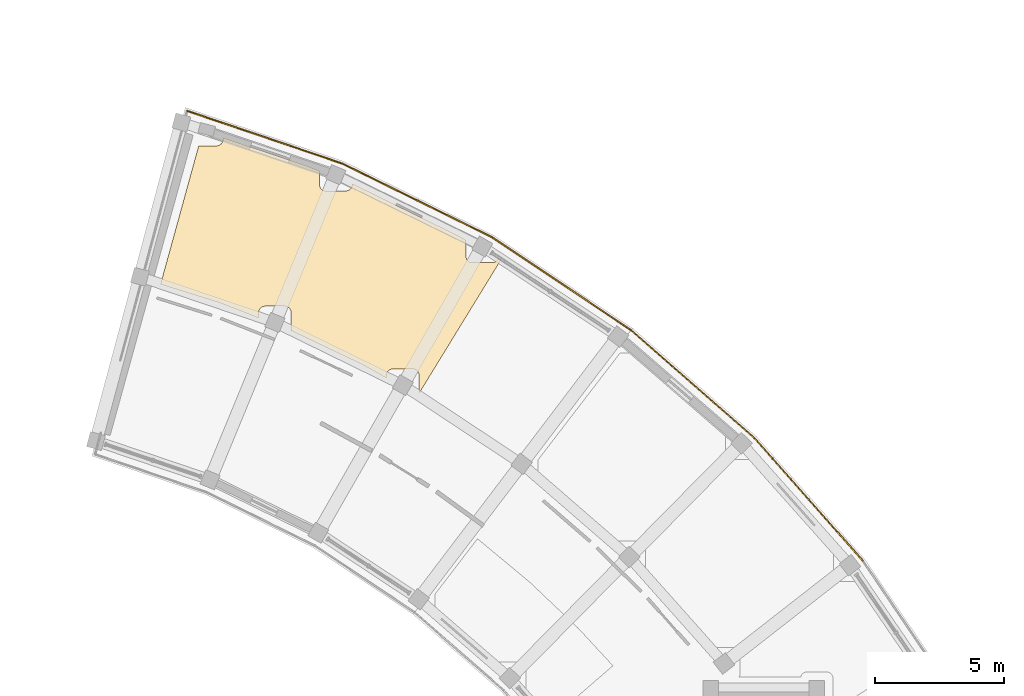
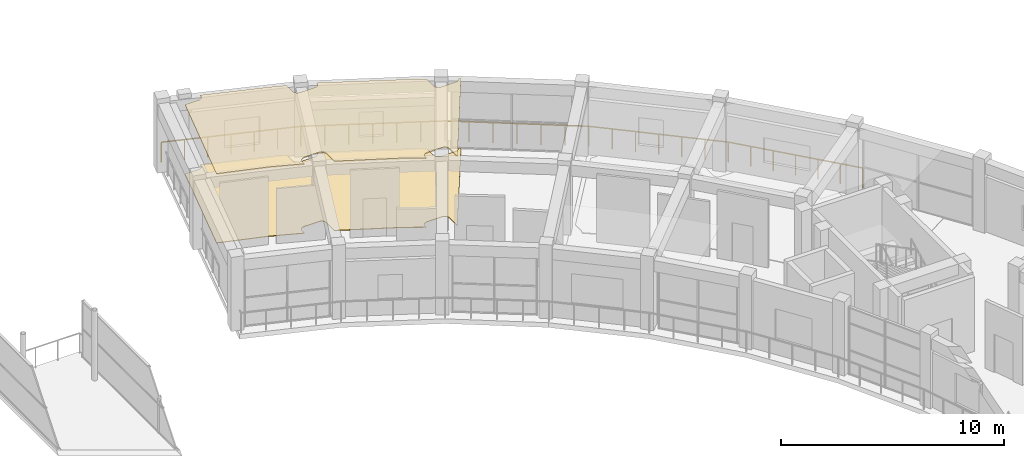
# One storey, part 53 of 53: 5 railings, 2 coverings.
"""IFC4 building model written with IfcOpenShell, lengths in metres."""

from ifc_helpers import new_model, si_unit, direction, frame, origin, origin_2d, place, context, subcontext, project, spatial, polyline, rectangle, outline, extrude, material, layer, layer_set, type_object, element, save


model = new_model("IFC4")

# Units and contexts
model_context = context("Model", 3, precision=1e-05, world=origin(), true_north=direction((0.0, 1.0)))
body_context = subcontext(model_context, "Body", "Model", "MODEL_VIEW")
ifc_project = project(units=[si_unit("LENGTHUNIT", "METRE"), si_unit("AREAUNIT", "SQUARE_METRE"), si_unit("VOLUMEUNIT", "CUBIC_METRE"), si_unit("PLANEANGLEUNIT", "RADIAN"), si_unit("MASSUNIT", "GRAM", prefix="KILO")], contexts=[model_context])

# Site, building, storey
site_placement = place(None, origin())
site = spatial("IfcSite", under=ifc_project, at=site_placement, CompositionType="ELEMENT")
building_placement = place(site_placement, origin())
building = spatial("IfcBuilding", under=site, at=building_placement, Name="Saryqyr Civic Hall", CompositionType="ELEMENT")
storey_placement = place(building_placement, frame((0.0, 0.0, 21.300048828125)))
storey = spatial("IfcBuildingStorey", under=building, at=storey_placement, Name="L05", CompositionType="ELEMENT", Elevation=21.300048828125)

# Coverings
ifc_material_1 = material(Name="Mineral-fibre acoustic ceiling tile", Category="acoustic_tile")
ifc_layer_1 = layer(ifc_material_1, 0.06005859375, Name="Mineral-fibre acoustic ceiling tile")
ifc_layer_set_1 = layer_set([ifc_layer_1], Name="Mineral-fibre acoustic ceiling tile")
covering_type_1 = type_object("IfcCoveringType", Name="INT-COV-CEIL-60", PredefinedType="CEILING", material=ifc_layer_set_1)
covering_1_placement = place(storey_placement, frame((0.0, 0.0, 3.760009765625)))
element("IfcCovering", 1, at=covering_1_placement, inside=storey, type_object=covering_type_1, Name="Acoustic ceiling Executive Suite Restroom & Accessible MGN WC L05-N", PredefinedType="CEILING", context=body_context, shape_type="SweptSolid", body=[
    extrude(outline(polyline([(78.90576171875, 121.541015625), (78.902099609375, 121.5654296875), (78.896240234375, 121.589111328125), (78.887939453125, 121.6123046875), (78.87744140625, 121.634521484375), (78.864990234375, 121.655517578125), (78.850341796875, 121.67529296875), (78.833740234375, 121.693359375), (78.815673828125, 121.7099609375), (78.7958984375, 121.724609375), (78.77490234375, 121.737060546875), (78.752685546875, 121.74755859375), (78.7294921875, 121.755859375), (78.705810546875, 121.76171875), (78.681396484375, 121.765380859375), (78.656982421875, 121.7666015625), (77.89697265625, 121.7666015625), (77.87255859375, 121.765380859375), (77.84814453125, 121.76171875), (77.824462890625, 121.755859375), (77.80126953125, 121.74755859375), (77.779296875, 121.737060546875), (77.758056640625, 121.724609375), (77.73828125, 121.7099609375), (77.72021484375, 121.693359375), (77.70361328125, 121.67529296875), (77.689208984375, 121.655517578125), (77.676513671875, 121.634521484375), (77.666015625, 121.6123046875), (77.65771484375, 121.589111328125), (77.65185546875, 121.5654296875), (77.648193359375, 121.541015625), (77.64697265625, 121.5166015625), (77.64697265625, 121.406494140625), (76.74755859375, 121.915283203125), (76.71337890625, 121.93310546875), (74.034912109375, 123.208984375), (73.99951171875, 123.224365234375), (73.943359375, 123.246337890625), (73.943359375, 123.94921875), (73.942138671875, 123.9736328125), (73.9384765625, 123.997802734375), (73.9326171875, 124.021728515625), (73.92431640625, 124.044921875), (73.913818359375, 124.06689453125), (73.901123046875, 124.087890625), (73.88671875, 124.107666015625), (73.8701171875, 124.1259765625), (73.851806640625, 124.142333984375), (73.832275390625, 124.156982421875), (73.81103515625, 124.169677734375), (73.7890625, 124.18017578125), (73.765869140625, 124.188232421875), (73.7421875, 124.1943359375), (73.7177734375, 124.197998046875), (73.693359375, 124.19921875), (72.933349609375, 124.19921875), (72.90869140625, 124.197998046875), (72.884521484375, 124.1943359375), (72.860595703125, 124.188232421875), (72.837646484375, 124.18017578125), (72.8154296875, 124.169677734375), (72.79443359375, 124.156982421875), (72.774658203125, 124.142333984375), (72.756591796875, 124.1259765625), (72.739990234375, 124.107666015625), (72.725341796875, 124.087890625), (72.712890625, 124.06689453125), (72.702392578125, 124.044921875), (72.694091796875, 124.021728515625), (72.68798828125, 123.997802734375), (72.6845703125, 123.9736328125), (72.683349609375, 123.94921875), (72.683349609375, 123.7412109375), (71.23828125, 124.308837890625), (71.201904296875, 124.32177734375), (68.877685546875, 125.05078125), (70.35791015625, 130.42431640625), (71.050537109375, 130.42431640625), (71.0751953125, 130.425537109375), (71.099365234375, 130.42919921875), (71.123291015625, 130.435302734375), (71.146240234375, 130.443359375), (71.16845703125, 130.453857421875), (71.189453125, 130.466552734375), (71.209228515625, 130.481201171875), (71.227294921875, 130.49755859375), (71.243896484375, 130.515869140625), (71.258544921875, 130.535400390625), (71.27099609375, 130.556640625), (71.281494140625, 130.57861328125), (71.289794921875, 130.601806640625), (71.2958984375, 130.62548828125), (71.29931640625, 130.64990234375), (71.300537109375, 130.67431640625), (71.300537109375, 130.734130859375), (74.513671875, 129.6572265625), (75.04638671875, 129.447998046875), (75.04638671875, 128.921142578125), (75.047607421875, 128.896484375), (75.05126953125, 128.872314453125), (75.05712890625, 128.848388671875), (75.0654296875, 128.825439453125), (75.075927734375, 128.80322265625), (75.08837890625, 128.7822265625), (75.10302734375, 128.762451171875), (75.11962890625, 128.744384765625), (75.1376953125, 128.727783203125), (75.157470703125, 128.713134765625), (75.1787109375, 128.70068359375), (75.20068359375, 128.690185546875), (75.223876953125, 128.681884765625), (75.24755859375, 128.67578125), (75.27197265625, 128.67236328125), (75.29638671875, 128.671142578125), (76.056396484375, 128.671142578125), (76.080810546875, 128.67236328125), (76.105224609375, 128.67578125), (76.12890625, 128.681884765625), (76.152099609375, 128.690185546875), (76.17431640625, 128.70068359375), (76.1953125, 128.713134765625), (76.215087890625, 128.727783203125), (76.233154296875, 128.744384765625), (76.249755859375, 128.762451171875), (76.264404296875, 128.7822265625), (76.27685546875, 128.80322265625), (76.287353515625, 128.825439453125), (76.295654296875, 128.848388671875), (76.301513671875, 128.872314453125), (76.30517578125, 128.896484375), (76.306396484375, 128.921142578125), (76.306396484375, 128.953125), (76.390869140625, 128.919921875), (80.4189453125, 126.93359375), (80.72900390625, 126.758056640625), (80.72900390625, 126.13623046875), (80.730224609375, 126.11181640625), (80.73388671875, 126.08740234375), (80.739990234375, 126.063720703125), (80.748046875, 126.04052734375), (80.758544921875, 126.0185546875), (80.771240234375, 125.997314453125), (80.785888671875, 125.977783203125), (80.80224609375, 125.95947265625), (80.820556640625, 125.943115234375), (80.840087890625, 125.928466796875), (80.861328125, 125.915771484375), (80.88330078125, 125.9052734375), (80.906494140625, 125.897216796875), (80.930419921875, 125.89111328125), (80.95458984375, 125.887451171875), (80.97900390625, 125.88623046875), (81.739013671875, 125.88623046875), (81.763671875, 125.887451171875), (81.787841796875, 125.89111328125), (81.811767578125, 125.897216796875), (81.834716796875, 125.9052734375), (81.85693359375, 125.915771484375), (81.8779296875, 125.928466796875), (81.897705078125, 125.943115234375), (81.916015625, 125.95947265625), (81.932373046875, 125.977783203125), (81.947021484375, 125.997314453125), (81.959716796875, 126.0185546875), (81.97021484375, 126.04052734375), (81.974609375, 126.05322265625), (82.080322265625, 125.99365234375), (78.906982421875, 120.818359375), (78.906982421875, 121.5166015625), (78.90576171875, 121.541015625)])), origin(), (0.0, 0.0, 1.0), 0.06005859375),
])
ifc_material_2 = material(Name="Polished terrazzo tile", Category="stone")
ifc_layer_2 = layer(ifc_material_2, 0.030029296875, Name="Polished terrazzo tile")
ifc_layer_set_2 = layer_set([ifc_layer_2], Name="Polished terrazzo tile")
covering_type_2 = type_object("IfcCoveringType", Name="INT-COV-FLR-30", PredefinedType="FLOORING", material=ifc_layer_set_2)
covering_2_placement = place(storey_placement, origin())
element("IfcCovering", 2, at=covering_2_placement, inside=storey, type_object=covering_type_2, Name="Polished terrazzo flooring Executive Suite Restroom & Accessible MGN WC L05-N", PredefinedType="FLOORING", context=body_context, shape_type="SweptSolid", body=[
    extrude(outline(polyline([(78.90576171875, 121.541015625), (78.902099609375, 121.5654296875), (78.896240234375, 121.589111328125), (78.887939453125, 121.6123046875), (78.87744140625, 121.634521484375), (78.864990234375, 121.655517578125), (78.850341796875, 121.67529296875), (78.833740234375, 121.693359375), (78.815673828125, 121.7099609375), (78.7958984375, 121.724609375), (78.77490234375, 121.737060546875), (78.752685546875, 121.74755859375), (78.7294921875, 121.755859375), (78.705810546875, 121.76171875), (78.681396484375, 121.765380859375), (78.656982421875, 121.7666015625), (77.89697265625, 121.7666015625), (77.87255859375, 121.765380859375), (77.84814453125, 121.76171875), (77.824462890625, 121.755859375), (77.80126953125, 121.74755859375), (77.779296875, 121.737060546875), (77.758056640625, 121.724609375), (77.73828125, 121.7099609375), (77.72021484375, 121.693359375), (77.70361328125, 121.67529296875), (77.689208984375, 121.655517578125), (77.676513671875, 121.634521484375), (77.666015625, 121.6123046875), (77.65771484375, 121.589111328125), (77.65185546875, 121.5654296875), (77.648193359375, 121.541015625), (77.64697265625, 121.5166015625), (77.64697265625, 121.406494140625), (76.74755859375, 121.915283203125), (76.71337890625, 121.93310546875), (74.034912109375, 123.208984375), (73.99951171875, 123.224365234375), (73.943359375, 123.246337890625), (73.943359375, 123.94921875), (73.942138671875, 123.9736328125), (73.9384765625, 123.997802734375), (73.9326171875, 124.021728515625), (73.92431640625, 124.044921875), (73.913818359375, 124.06689453125), (73.901123046875, 124.087890625), (73.88671875, 124.107666015625), (73.8701171875, 124.1259765625), (73.851806640625, 124.142333984375), (73.832275390625, 124.156982421875), (73.81103515625, 124.169677734375), (73.7890625, 124.18017578125), (73.765869140625, 124.188232421875), (73.7421875, 124.1943359375), (73.7177734375, 124.197998046875), (73.693359375, 124.19921875), (72.933349609375, 124.19921875), (72.90869140625, 124.197998046875), (72.884521484375, 124.1943359375), (72.860595703125, 124.188232421875), (72.837646484375, 124.18017578125), (72.8154296875, 124.169677734375), (72.79443359375, 124.156982421875), (72.774658203125, 124.142333984375), (72.756591796875, 124.1259765625), (72.739990234375, 124.107666015625), (72.725341796875, 124.087890625), (72.712890625, 124.06689453125), (72.702392578125, 124.044921875), (72.694091796875, 124.021728515625), (72.68798828125, 123.997802734375), (72.6845703125, 123.9736328125), (72.683349609375, 123.94921875), (72.683349609375, 123.7412109375), (71.23828125, 124.308837890625), (71.201904296875, 124.32177734375), (68.877685546875, 125.05078125), (70.35791015625, 130.42431640625), (71.050537109375, 130.42431640625), (71.0751953125, 130.425537109375), (71.099365234375, 130.42919921875), (71.123291015625, 130.435302734375), (71.146240234375, 130.443359375), (71.16845703125, 130.453857421875), (71.189453125, 130.466552734375), (71.209228515625, 130.481201171875), (71.227294921875, 130.49755859375), (71.243896484375, 130.515869140625), (71.258544921875, 130.535400390625), (71.27099609375, 130.556640625), (71.281494140625, 130.57861328125), (71.289794921875, 130.601806640625), (71.2958984375, 130.62548828125), (71.29931640625, 130.64990234375), (71.300537109375, 130.67431640625), (71.300537109375, 130.734130859375), (74.513671875, 129.6572265625), (75.04638671875, 129.447998046875), (75.04638671875, 128.921142578125), (75.047607421875, 128.896484375), (75.05126953125, 128.872314453125), (75.05712890625, 128.848388671875), (75.0654296875, 128.825439453125), (75.075927734375, 128.80322265625), (75.08837890625, 128.7822265625), (75.10302734375, 128.762451171875), (75.11962890625, 128.744384765625), (75.1376953125, 128.727783203125), (75.157470703125, 128.713134765625), (75.1787109375, 128.70068359375), (75.20068359375, 128.690185546875), (75.223876953125, 128.681884765625), (75.24755859375, 128.67578125), (75.27197265625, 128.67236328125), (75.29638671875, 128.671142578125), (76.056396484375, 128.671142578125), (76.080810546875, 128.67236328125), (76.105224609375, 128.67578125), (76.12890625, 128.681884765625), (76.152099609375, 128.690185546875), (76.17431640625, 128.70068359375), (76.1953125, 128.713134765625), (76.215087890625, 128.727783203125), (76.233154296875, 128.744384765625), (76.249755859375, 128.762451171875), (76.264404296875, 128.7822265625), (76.27685546875, 128.80322265625), (76.287353515625, 128.825439453125), (76.295654296875, 128.848388671875), (76.301513671875, 128.872314453125), (76.30517578125, 128.896484375), (76.306396484375, 128.921142578125), (76.306396484375, 128.953125), (76.390869140625, 128.919921875), (80.4189453125, 126.93359375), (80.72900390625, 126.758056640625), (80.72900390625, 126.13623046875), (80.730224609375, 126.11181640625), (80.73388671875, 126.08740234375), (80.739990234375, 126.063720703125), (80.748046875, 126.04052734375), (80.758544921875, 126.0185546875), (80.771240234375, 125.997314453125), (80.785888671875, 125.977783203125), (80.80224609375, 125.95947265625), (80.820556640625, 125.943115234375), (80.840087890625, 125.928466796875), (80.861328125, 125.915771484375), (80.88330078125, 125.9052734375), (80.906494140625, 125.897216796875), (80.930419921875, 125.89111328125), (80.95458984375, 125.887451171875), (80.97900390625, 125.88623046875), (81.739013671875, 125.88623046875), (81.763671875, 125.887451171875), (81.787841796875, 125.89111328125), (81.811767578125, 125.897216796875), (81.834716796875, 125.9052734375), (81.85693359375, 125.915771484375), (81.8779296875, 125.928466796875), (81.897705078125, 125.943115234375), (81.916015625, 125.95947265625), (81.932373046875, 125.977783203125), (81.947021484375, 125.997314453125), (81.959716796875, 126.0185546875), (81.97021484375, 126.04052734375), (81.974609375, 126.05322265625), (82.080322265625, 125.99365234375), (78.906982421875, 120.818359375), (78.906982421875, 121.5166015625), (78.90576171875, 121.541015625)])), origin(), (0.0, 0.0, 1.0), 0.030029296875),
])

# Railings
ifc_material_3 = material(Name="Warm brushed brass and laminated glass", Category="glass")
ifc_layer_3 = layer(ifc_material_3, 0.06005859375, Name="Warm brushed brass and laminated glass")
ifc_layer_set_3 = layer_set([ifc_layer_3], Name="Warm brushed brass and laminated glass")
railing_type = type_object("IfcRailingType", Name="INT-RLG-BAL-1100", PredefinedType="BALUSTRADE", material=ifc_layer_set_3)
railing_1_placement = place(storey_placement, frame((69.906494140625, 131.781005859375, 0.0)))
element("IfcRailing", 3, at=railing_1_placement, inside=storey, type_object=railing_type, Name="Interior deck safety balustrade L05-022", PredefinedType="BALUSTRADE", context=body_context, shape_type="SweptSolid", body=[
    extrude(rectangle(XDim=0.048095703125, YDim=0.048095703125, at=origin_2d()), frame((0.0, 0.0, 1.09619140625), z_axis=(0.946914589927, -0.321485239761, 0.0), x_axis=(0.321485239761, 0.946914589927, 0.0)), (0.0, 0.0, 1.0), 6.37451171875),
    extrude(rectangle(XDim=0.0419921875, YDim=0.0419921875, at=origin_2d()), origin(), (0.0, 0.0, 1.0), 1.072021484375),
    extrude(rectangle(XDim=0.0419921875, YDim=0.0419921875, at=origin_2d()), frame((1.006103515625, -0.341552734375, 0.0)), (0.0, 0.0, 1.0), 1.072021484375),
    extrude(rectangle(XDim=0.0419921875, YDim=0.0419921875, at=origin_2d()), frame((2.011962890625, -0.68310546875, 0.0)), (0.0, 0.0, 1.0), 1.072021484375),
    extrude(rectangle(XDim=0.0419921875, YDim=0.0419921875, at=origin_2d()), frame((3.01806640625, -1.024658203125, 0.0)), (0.0, 0.0, 1.0), 1.072021484375),
    extrude(rectangle(XDim=0.0419921875, YDim=0.0419921875, at=origin_2d()), frame((4.024169921875, -1.3662109375, 0.0)), (0.0, 0.0, 1.0), 1.072021484375),
    extrude(rectangle(XDim=0.0419921875, YDim=0.0419921875, at=origin_2d()), frame((5.030029296875, -1.707763671875, 0.0)), (0.0, 0.0, 1.0), 1.072021484375),
    extrude(rectangle(XDim=0.0419921875, YDim=0.0419921875, at=origin_2d()), frame((6.0361328125, -2.04931640625, 0.0)), (0.0, 0.0, 1.0), 1.072021484375),
])
railing_2_placement = place(storey_placement, frame((75.942626953125, 129.731689453125, 0.0)))
element("IfcRailing", 4, at=railing_2_placement, inside=storey, type_object=railing_type, Name="Interior deck safety balustrade L05-023", PredefinedType="BALUSTRADE", context=body_context, shape_type="SweptSolid", body=[
    extrude(rectangle(XDim=0.048095703125, YDim=0.048095703125, at=origin_2d()), frame((0.0, 0.0, 1.09619140625), z_axis=(0.89689443152, -0.442244704557, 0.0), x_axis=(0.442244704557, 0.89689443152, 0.0)), (0.0, 0.0, 1.0), 6.47509765625),
    extrude(rectangle(XDim=0.0419921875, YDim=0.0419921875, at=origin_2d()), origin(), (0.0, 0.0, 1.0), 1.072021484375),
    extrude(rectangle(XDim=0.0419921875, YDim=0.0419921875, at=origin_2d()), frame((0.9677734375, -0.477294921875, 0.0)), (0.0, 0.0, 1.0), 1.072021484375),
    extrude(rectangle(XDim=0.0419921875, YDim=0.0419921875, at=origin_2d()), frame((1.935791015625, -0.95458984375, 0.0)), (0.0, 0.0, 1.0), 1.072021484375),
    extrude(rectangle(XDim=0.0419921875, YDim=0.0419921875, at=origin_2d()), frame((2.90380859375, -1.431640625, 0.0)), (0.0, 0.0, 1.0), 1.072021484375),
    extrude(rectangle(XDim=0.0419921875, YDim=0.0419921875, at=origin_2d()), frame((3.87158203125, -1.908935546875, 0.0)), (0.0, 0.0, 1.0), 1.072021484375),
    extrude(rectangle(XDim=0.0419921875, YDim=0.0419921875, at=origin_2d()), frame((4.83935546875, -2.38623046875, 0.0)), (0.0, 0.0, 1.0), 1.072021484375),
    extrude(rectangle(XDim=0.0419921875, YDim=0.0419921875, at=origin_2d()), frame((5.807373046875, -2.863525390625, 0.0)), (0.0, 0.0, 1.0), 1.072021484375),
])
railing_3_placement = place(storey_placement, frame((81.75, 126.8681640625, 0.0)))
element("IfcRailing", 5, at=railing_3_placement, inside=storey, type_object=railing_type, Name="Interior deck safety balustrade L05-024", PredefinedType="BALUSTRADE", context=body_context, shape_type="SweptSolid", body=[
    extrude(rectangle(XDim=0.048095703125, YDim=0.048095703125, at=origin_2d()), frame((0.0, 0.0, 1.09619140625), z_axis=(0.831452318502, -0.55559611415, 0.0), x_axis=(0.55559611415, 0.831452318502, 0.0)), (0.0, 0.0, 1.0), 6.474853515625),
    extrude(rectangle(XDim=0.0419921875, YDim=0.0419921875, at=origin_2d()), origin(), (0.0, 0.0, 1.0), 1.072021484375),
    extrude(rectangle(XDim=0.0419921875, YDim=0.0419921875, at=origin_2d()), frame((0.897216796875, -0.599609375, 0.0)), (0.0, 0.0, 1.0), 1.072021484375),
    extrude(rectangle(XDim=0.0419921875, YDim=0.0419921875, at=origin_2d()), frame((1.79443359375, -1.19921875, 0.0)), (0.0, 0.0, 1.0), 1.072021484375),
    extrude(rectangle(XDim=0.0419921875, YDim=0.0419921875, at=origin_2d()), frame((2.69189453125, -1.798828125, 0.0)), (0.0, 0.0, 1.0), 1.072021484375),
    extrude(rectangle(XDim=0.0419921875, YDim=0.0419921875, at=origin_2d()), frame((3.589111328125, -2.398193359375, 0.0)), (0.0, 0.0, 1.0), 1.072021484375),
    extrude(rectangle(XDim=0.0419921875, YDim=0.0419921875, at=origin_2d()), frame((4.486328125, -2.997802734375, 0.0)), (0.0, 0.0, 1.0), 1.072021484375),
    extrude(rectangle(XDim=0.0419921875, YDim=0.0419921875, at=origin_2d()), frame((5.383544921875, -3.597412109375, 0.0)), (0.0, 0.0, 1.0), 1.072021484375),
])
railing_4_placement = place(storey_placement, frame((87.133544921875, 123.270751953125, 0.0)))
element("IfcRailing", 6, at=railing_4_placement, inside=storey, type_object=railing_type, Name="Interior deck safety balustrade L05-025", PredefinedType="BALUSTRADE", context=body_context, shape_type="SweptSolid", body=[
    extrude(rectangle(XDim=0.048095703125, YDim=0.048095703125, at=origin_2d()), frame((0.0, 0.0, 1.09619140625), z_axis=(0.752633781672, -0.658439359915, 0.0), x_axis=(0.658439359915, 0.752633781672, 0.0)), (0.0, 0.0, 1.0), 6.35791015625),
    extrude(rectangle(XDim=0.0419921875, YDim=0.0419921875, at=origin_2d()), origin(), (0.0, 0.0, 1.0), 1.072021484375),
    extrude(rectangle(XDim=0.0419921875, YDim=0.0419921875, at=origin_2d()), frame((0.797607421875, -0.69775390625, 0.0)), (0.0, 0.0, 1.0), 1.072021484375),
    extrude(rectangle(XDim=0.0419921875, YDim=0.0419921875, at=origin_2d()), frame((1.594970703125, -1.3955078125, 0.0)), (0.0, 0.0, 1.0), 1.072021484375),
    extrude(rectangle(XDim=0.0419921875, YDim=0.0419921875, at=origin_2d()), frame((2.392578125, -2.09326171875, 0.0)), (0.0, 0.0, 1.0), 1.072021484375),
    extrude(rectangle(XDim=0.0419921875, YDim=0.0419921875, at=origin_2d()), frame((3.190185546875, -2.790771484375, 0.0)), (0.0, 0.0, 1.0), 1.072021484375),
    extrude(rectangle(XDim=0.0419921875, YDim=0.0419921875, at=origin_2d()), frame((3.987548828125, -3.488525390625, 0.0)), (0.0, 0.0, 1.0), 1.072021484375),
    extrude(rectangle(XDim=0.0419921875, YDim=0.0419921875, at=origin_2d()), frame((4.78515625, -4.186279296875, 0.0)), (0.0, 0.0, 1.0), 1.072021484375),
])
railing_5_placement = place(storey_placement, frame((91.918701171875, 119.08447265625, 0.0)))
element("IfcRailing", 7, at=railing_5_placement, inside=storey, type_object=railing_type, Name="Interior deck safety balustrade L05-026", PredefinedType="BALUSTRADE", context=body_context, shape_type="SweptSolid", body=[
    extrude(rectangle(XDim=0.048095703125, YDim=0.048095703125, at=origin_2d()), frame((0.0, 0.0, 1.09619140625), z_axis=(0.661996204778, -0.749507187997, 0.0), x_axis=(0.749507187997, 0.661996204778, 0.0)), (0.0, 0.0, 1.0), 6.35791015625),
    extrude(rectangle(XDim=0.0419921875, YDim=0.0419921875, at=origin_2d()), origin(), (0.0, 0.0, 1.0), 1.072021484375),
    extrude(rectangle(XDim=0.0419921875, YDim=0.0419921875, at=origin_2d()), frame((0.701416015625, -0.794189453125, 0.0)), (0.0, 0.0, 1.0), 1.072021484375),
    extrude(rectangle(XDim=0.0419921875, YDim=0.0419921875, at=origin_2d()), frame((1.403076171875, -1.58837890625, 0.0)), (0.0, 0.0, 1.0), 1.072021484375),
    extrude(rectangle(XDim=0.0419921875, YDim=0.0419921875, at=origin_2d()), frame((2.1044921875, -2.3828125, 0.0)), (0.0, 0.0, 1.0), 1.072021484375),
    extrude(rectangle(XDim=0.0419921875, YDim=0.0419921875, at=origin_2d()), frame((2.805908203125, -3.177001953125, 0.0)), (0.0, 0.0, 1.0), 1.072021484375),
    extrude(rectangle(XDim=0.0419921875, YDim=0.0419921875, at=origin_2d()), frame((3.507568359375, -3.97119140625, 0.0)), (0.0, 0.0, 1.0), 1.072021484375),
    extrude(rectangle(XDim=0.0419921875, YDim=0.0419921875, at=origin_2d()), frame((4.208984375, -4.765380859375, 0.0)), (0.0, 0.0, 1.0), 1.072021484375),
])

save(model, "model.ifc")
